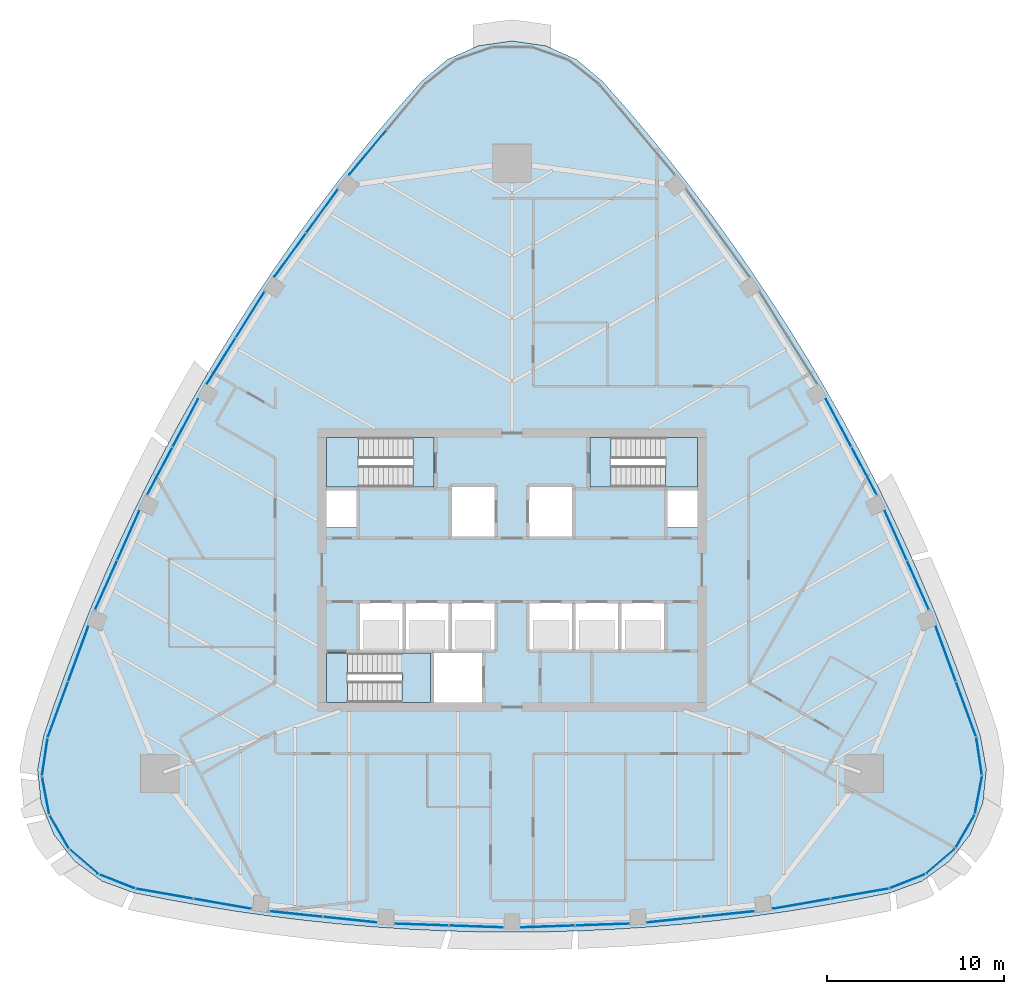
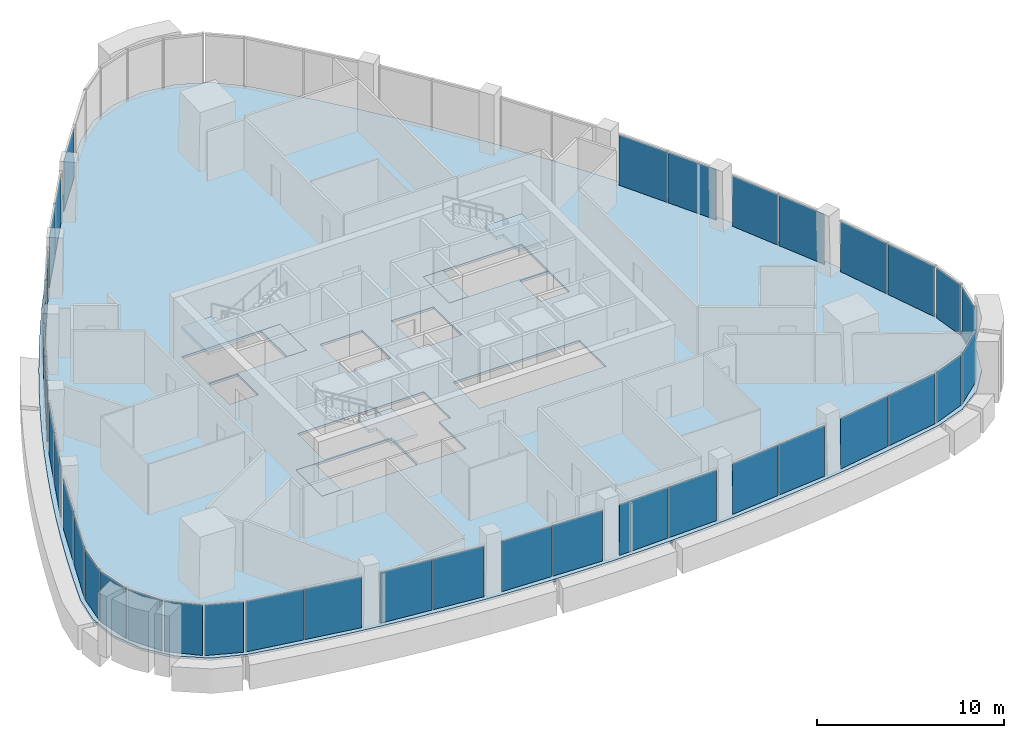
# One storey, part 7 of 15: 39 plates, 7 slabs, 28 elements without a shape of their own.
"""IFC4 building model written with IfcOpenShell, lengths in metres."""

from ifc_helpers import new_model, si_unit, direction, frame, origin, origin_2d, place, context, subcontext, project, spatial, polyline, rectangle, outline, extrude, material, layer, layer_set, type_object, element, aggregate, save


model = new_model("IFC4")

# Units and contexts
model_context = context("Model", 3, precision=1e-05, world=origin(), true_north=direction((0.0, 1.0)))
body_context = subcontext(model_context, "Body", "Model", "MODEL_VIEW")
ifc_project = project(units=[si_unit("LENGTHUNIT", "METRE"), si_unit("AREAUNIT", "SQUARE_METRE"), si_unit("VOLUMEUNIT", "CUBIC_METRE"), si_unit("PLANEANGLEUNIT", "RADIAN"), si_unit("MASSUNIT", "GRAM", prefix="KILO")], contexts=[model_context])

# Site, building, storey
site_placement = place(None, origin())
site = spatial("IfcSite", under=ifc_project, at=site_placement, CompositionType="ELEMENT")
building_placement = place(site_placement, origin())
building = spatial("IfcBuilding", under=site, at=building_placement, Name="Sierra Prisma Convention Tower", CompositionType="ELEMENT")
storey_placement = place(building_placement, frame((0.0, 0.0, 315.0)))
storey = spatial("IfcBuildingStorey", under=building, at=storey_placement, Name="L72", CompositionType="ELEMENT", Elevation=315.0)

# Curtain wall, plates
ifc_material_1 = material(Name="Aluminium and glass curtain wall", Category="aluminium")
ifc_layer_1 = layer(ifc_material_1, 0.179931640625)
ifc_layer_set_1 = layer_set([ifc_layer_1], Name="CW-1 Plain shaft curtain wall")
curtain_wall_type = type_object("IfcCurtainWallType", Name="CW-1 Plain shaft curtain wall", PredefinedType="NOTDEFINED", material=ifc_layer_set_1)
curtain_wall_1_placement = place(storey_placement, origin())
curtain_wall_1 = element("IfcCurtainWall", 1, at=curtain_wall_1_placement, inside=storey, type_object=curtain_wall_type, Name="CW-1 S1 L72", PredefinedType="NOTDEFINED")
ifc_material_2 = material(Name="Tinted glass bronze-grey IGU", Category="glass")
ifc_layer_2 = layer(ifc_material_2, 0.028076171875)
ifc_layer_set_2 = layer_set([ifc_layer_2], Name="CW-1 glass panel")
plate_type = type_object("IfcPlateType", Name="CW-1 glass panel", PredefinedType="CURTAIN_PANEL", material=ifc_layer_set_2)
plate_1_placement = place(storey_placement, frame((-19.65283203125, -18.306884765625, 0.0), z_axis=(0.0, 0.0, 1.0), x_axis=(0.985126314621, -0.171831732349, 0.0)))
plate_1 = element("IfcPlate", 2, at=plate_1_placement, type_object=plate_type, Name="CW-1 panel S1.1", PredefinedType="CURTAIN_PANEL", context=body_context, shape_type="SweptSolid", body=[
    extrude(rectangle(XDim=3.24853515625, YDim=0.028076171875, at=origin_2d()), origin(), (0.0, 0.0, 1.0), 3.280029296875),
])
plate_2_placement = place(storey_placement, frame((-16.3837890625, -18.876953125, 0.0), z_axis=(0.0, 0.0, 1.0), x_axis=(0.985126314621, -0.171831732349, 0.0)))
plate_2 = element("IfcPlate", 3, at=plate_2_placement, type_object=plate_type, Name="CW-1 panel S1.2", PredefinedType="CURTAIN_PANEL", context=body_context, shape_type="SweptSolid", body=[
    extrude(rectangle(XDim=3.24853515625, YDim=0.028076171875, at=origin_2d()), origin(), (0.0, 0.0, 1.0), 3.280029296875),
])
aggregate(curtain_wall_1, [plate_1, plate_2])

curtain_wall_2_placement = place(storey_placement, origin())
curtain_wall_2 = element("IfcCurtainWall", 4, at=curtain_wall_2_placement, inside=storey, type_object=curtain_wall_type, Name="CW-1 S2 L72", PredefinedType="NOTDEFINED")
plate_3_placement = place(storey_placement, frame((-12.218017578125, -19.458984375, 0.0), z_axis=(0.0, 0.0, 1.0), x_axis=(0.994636947362, -0.103427960158, 0.0)))
plate_3 = element("IfcPlate", 5, at=plate_3_placement, type_object=plate_type, Name="CW-1 panel S2.1", PredefinedType="CURTAIN_PANEL", context=body_context, shape_type="SweptSolid", body=[
    extrude(rectangle(XDim=3.001708984375, YDim=0.028076171875, at=origin_2d()), origin(), (0.0, 0.0, 1.0), 3.280029296875),
])
plate_4_placement = place(storey_placement, frame((-9.162841796875, -19.776611328125, 0.0), z_axis=(0.0, 0.0, 1.0), x_axis=(0.994636947362, -0.103427960158, 0.0)))
plate_4 = element("IfcPlate", 6, at=plate_4_placement, type_object=plate_type, Name="CW-1 panel S2.2", PredefinedType="CURTAIN_PANEL", context=body_context, shape_type="SweptSolid", body=[
    extrude(rectangle(XDim=3.001708984375, YDim=0.028076171875, at=origin_2d()), origin(), (0.0, 0.0, 1.0), 3.280029296875),
])
aggregate(curtain_wall_2, [plate_3, plate_4])

curtain_wall_3_placement = place(storey_placement, origin())
curtain_wall_3 = element("IfcCurtainWall", 7, at=curtain_wall_3_placement, inside=storey, type_object=curtain_wall_type, Name="CW-1 S3 L72", PredefinedType="NOTDEFINED")
plate_5_placement = place(storey_placement, frame((-5.11328125, -20.05615234375, 0.0), z_axis=(0.0, 0.0, 1.0), x_axis=(0.999403631149, -0.034530885396, 0.0)))
plate_5 = element("IfcPlate", 8, at=plate_5_placement, type_object=plate_type, Name="CW-1 panel S3.1", PredefinedType="CURTAIN_PANEL", context=body_context, shape_type="SweptSolid", body=[
    extrude(rectangle(XDim=3.017578125, YDim=0.028076171875, at=origin_2d()), origin(), (0.0, 0.0, 1.0), 3.280029296875),
])
plate_6_placement = place(storey_placement, frame((-2.027587890625, -20.162841796875, 0.0), z_axis=(0.0, 0.0, 1.0), x_axis=(0.999403631149, -0.034530885396, 0.0)))
plate_6 = element("IfcPlate", 9, at=plate_6_placement, type_object=plate_type, Name="CW-1 panel S3.2", PredefinedType="CURTAIN_PANEL", context=body_context, shape_type="SweptSolid", body=[
    extrude(rectangle(XDim=3.017578125, YDim=0.028076171875, at=origin_2d()), origin(), (0.0, 0.0, 1.0), 3.280029296875),
])
aggregate(curtain_wall_3, [plate_5, plate_6])

curtain_wall_4_placement = place(storey_placement, origin())
curtain_wall_4 = element("IfcCurtainWall", 10, at=curtain_wall_4_placement, inside=storey, type_object=curtain_wall_type, Name="CW-1 S4 L72", PredefinedType="NOTDEFINED")
plate_7_placement = place(storey_placement, frame((2.027587890625, -20.162841796875, 0.0), z_axis=(0.0, 0.0, 1.0), x_axis=(0.999403631149, 0.034530885396, 0.0)))
plate_7 = element("IfcPlate", 11, at=plate_7_placement, type_object=plate_type, Name="CW-1 panel S4.1", PredefinedType="CURTAIN_PANEL", context=body_context, shape_type="SweptSolid", body=[
    extrude(rectangle(XDim=3.017578125, YDim=0.028076171875, at=origin_2d()), origin(), (0.0, 0.0, 1.0), 3.280029296875),
])
plate_8_placement = place(storey_placement, frame((5.11328125, -20.05615234375, 0.0), z_axis=(0.0, 0.0, 1.0), x_axis=(0.999403631149, 0.034530885396, 0.0)))
plate_8 = element("IfcPlate", 12, at=plate_8_placement, type_object=plate_type, Name="CW-1 panel S4.2", PredefinedType="CURTAIN_PANEL", context=body_context, shape_type="SweptSolid", body=[
    extrude(rectangle(XDim=3.017578125, YDim=0.028076171875, at=origin_2d()), origin(), (0.0, 0.0, 1.0), 3.280029296875),
])
aggregate(curtain_wall_4, [plate_7, plate_8])

curtain_wall_5_placement = place(storey_placement, origin())
curtain_wall_5 = element("IfcCurtainWall", 13, at=curtain_wall_5_placement, inside=storey, type_object=curtain_wall_type, Name="CW-1 S5 L72", PredefinedType="NOTDEFINED")
plate_9_placement = place(storey_placement, frame((9.162841796875, -19.776611328125, 0.0), z_axis=(0.0, 0.0, 1.0), x_axis=(0.994636947362, 0.103427960158, 0.0)))
plate_9 = element("IfcPlate", 14, at=plate_9_placement, type_object=plate_type, Name="CW-1 panel S5.1", PredefinedType="CURTAIN_PANEL", context=body_context, shape_type="SweptSolid", body=[
    extrude(rectangle(XDim=3.001708984375, YDim=0.028076171875, at=origin_2d()), origin(), (0.0, 0.0, 1.0), 3.280029296875),
])
plate_10_placement = place(storey_placement, frame((12.218017578125, -19.458984375, 0.0), z_axis=(0.0, 0.0, 1.0), x_axis=(0.994636947362, 0.103427960158, 0.0)))
plate_10 = element("IfcPlate", 15, at=plate_10_placement, type_object=plate_type, Name="CW-1 panel S5.2", PredefinedType="CURTAIN_PANEL", context=body_context, shape_type="SweptSolid", body=[
    extrude(rectangle(XDim=3.001708984375, YDim=0.028076171875, at=origin_2d()), origin(), (0.0, 0.0, 1.0), 3.280029296875),
])
aggregate(curtain_wall_5, [plate_9, plate_10])

curtain_wall_6_placement = place(storey_placement, origin())
curtain_wall_6 = element("IfcCurtainWall", 16, at=curtain_wall_6_placement, inside=storey, type_object=curtain_wall_type, Name="CW-1 S6 L72", PredefinedType="NOTDEFINED")
plate_11_placement = place(storey_placement, frame((16.3837890625, -18.876953125, 0.0), z_axis=(0.0, 0.0, 1.0), x_axis=(0.985126314621, 0.171831732349, 0.0)))
plate_11 = element("IfcPlate", 17, at=plate_11_placement, type_object=plate_type, Name="CW-1 panel S6.1", PredefinedType="CURTAIN_PANEL", context=body_context, shape_type="SweptSolid", body=[
    extrude(rectangle(XDim=3.24853515625, YDim=0.028076171875, at=origin_2d()), origin(), (0.0, 0.0, 1.0), 3.280029296875),
])
plate_12_placement = place(storey_placement, frame((19.65283203125, -18.306884765625, 0.0), z_axis=(0.0, 0.0, 1.0), x_axis=(0.985126314621, 0.171831732349, 0.0)))
plate_12 = element("IfcPlate", 18, at=plate_12_placement, type_object=plate_type, Name="CW-1 panel S6.2", PredefinedType="CURTAIN_PANEL", context=body_context, shape_type="SweptSolid", body=[
    extrude(rectangle(XDim=3.24853515625, YDim=0.028076171875, at=origin_2d()), origin(), (0.0, 0.0, 1.0), 3.280029296875),
])
aggregate(curtain_wall_6, [plate_11, plate_12])

# Curtain wall, plate
curtain_wall_7_placement = place(storey_placement, origin())
curtain_wall_7 = element("IfcCurtainWall", 19, at=curtain_wall_7_placement, inside=storey, type_object=curtain_wall_type, Name="CW-1 SE1 L72", PredefinedType="NOTDEFINED")
plate_13_placement = place(storey_placement, frame((22.354248046875, -17.609130859375, 0.0), z_axis=(0.0, 0.0, 1.0), x_axis=(0.930426756661, 0.366477899046, 0.0)))
plate_13 = element("IfcPlate", 20, at=plate_13_placement, type_object=plate_type, Name="CW-1 panel SE1.1", PredefinedType="CURTAIN_PANEL", context=body_context, shape_type="SweptSolid", body=[
    extrude(rectangle(XDim=2.0791015625, YDim=0.028076171875, at=origin_2d()), origin(), (0.0, 0.0, 1.0), 3.280029296875),
])
aggregate(curtain_wall_7, [plate_13])

curtain_wall_8_placement = place(storey_placement, origin())
curtain_wall_8 = element("IfcCurtainWall", 21, at=curtain_wall_8_placement, inside=storey, type_object=curtain_wall_type, Name="CW-1 SE2 L72", PredefinedType="NOTDEFINED")
plate_14_placement = place(storey_placement, frame((24.22705078125, -16.478271484375, 0.0), z_axis=(0.0, 0.0, 1.0), x_axis=(0.757573167368, 0.652750255522, 0.0)))
plate_14 = element("IfcPlate", 22, at=plate_14_placement, type_object=plate_type, Name="CW-1 panel SE2.1", PredefinedType="CURTAIN_PANEL", context=body_context, shape_type="SweptSolid", body=[
    extrude(rectangle(XDim=2.0791015625, YDim=0.028076171875, at=origin_2d()), origin(), (0.0, 0.0, 1.0), 3.280029296875),
])
aggregate(curtain_wall_8, [plate_14])

curtain_wall_9_placement = place(storey_placement, origin())
curtain_wall_9 = element("IfcCurtainWall", 23, at=curtain_wall_9_placement, inside=storey, type_object=curtain_wall_type, Name="CW-1 SE3 L72", PredefinedType="NOTDEFINED")
plate_15_placement = place(storey_placement, frame((25.622314453125, -14.793212890625, 0.0), z_axis=(0.0, 0.0, 1.0), x_axis=(0.5, 0.866025403784, 0.0)))
plate_15 = element("IfcPlate", 24, at=plate_15_placement, type_object=plate_type, Name="CW-1 panel SE3.1", PredefinedType="CURTAIN_PANEL", context=body_context, shape_type="SweptSolid", body=[
    extrude(rectangle(XDim=2.0791015625, YDim=0.028076171875, at=origin_2d()), origin(), (0.0, 0.0, 1.0), 3.280029296875),
])
aggregate(curtain_wall_9, [plate_15])

curtain_wall_10_placement = place(storey_placement, origin())
curtain_wall_10 = element("IfcCurtainWall", 25, at=curtain_wall_10_placement, inside=storey, type_object=curtain_wall_type, Name="CW-1 SE4 L72", PredefinedType="NOTDEFINED")
plate_16_placement = place(storey_placement, frame((26.384033203125, -12.7421875, 0.0), z_axis=(0.0, 0.0, 1.0), x_axis=(0.186511719925, 0.982452735927, 0.0)))
plate_16 = element("IfcPlate", 26, at=plate_16_placement, type_object=plate_type, Name="CW-1 panel SE4.1", PredefinedType="CURTAIN_PANEL", context=body_context, shape_type="SweptSolid", body=[
    extrude(rectangle(XDim=2.0791015625, YDim=0.028076171875, at=origin_2d()), origin(), (0.0, 0.0, 1.0), 3.280029296875),
])
aggregate(curtain_wall_10, [plate_16])

curtain_wall_11_placement = place(storey_placement, origin())
curtain_wall_11 = element("IfcCurtainWall", 27, at=curtain_wall_11_placement, inside=storey, type_object=curtain_wall_type, Name="CW-1 SE5 L72", PredefinedType="NOTDEFINED")
plate_17_placement = place(storey_placement, frame((26.427001953125, -10.5546875, 0.0), z_axis=(0.0, 0.0, 1.0), x_axis=(-0.147834207831, 0.989012157152, 0.0)))
plate_17 = element("IfcPlate", 28, at=plate_17_placement, type_object=plate_type, Name="CW-1 panel SE5.1", PredefinedType="CURTAIN_PANEL", context=body_context, shape_type="SweptSolid", body=[
    extrude(rectangle(XDim=2.0791015625, YDim=0.028076171875, at=origin_2d()), origin(), (0.0, 0.0, 1.0), 3.280029296875),
])
aggregate(curtain_wall_11, [plate_17])

# Curtain wall, plates
curtain_wall_12_placement = place(storey_placement, origin())
curtain_wall_12 = element("IfcCurtainWall", 29, at=curtain_wall_12_placement, inside=storey, type_object=curtain_wall_type, Name="CW-1 NE1 L72", PredefinedType="NOTDEFINED")
plate_18_placement = place(storey_placement, frame((25.6806640625, -7.866455078125, 0.0), z_axis=(0.0, 0.0, 1.0), x_axis=(-0.34375251192, 0.939060280572, 0.0)))
plate_18 = element("IfcPlate", 30, at=plate_18_placement, type_object=plate_type, Name="CW-1 panel NE1.1", PredefinedType="CURTAIN_PANEL", context=body_context, shape_type="SweptSolid", body=[
    extrude(rectangle(XDim=3.24853515625, YDim=0.028076171875, at=origin_2d()), origin(), (0.0, 0.0, 1.0), 3.280029296875),
])
plate_19_placement = place(storey_placement, frame((24.539794921875, -4.750244140625, 0.0), z_axis=(0.0, 0.0, 1.0), x_axis=(-0.34375251192, 0.939060280572, 0.0)))
plate_19 = element("IfcPlate", 31, at=plate_19_placement, type_object=plate_type, Name="CW-1 panel NE1.2", PredefinedType="CURTAIN_PANEL", context=body_context, shape_type="SweptSolid", body=[
    extrude(rectangle(XDim=3.24853515625, YDim=0.028076171875, at=origin_2d()), origin(), (0.0, 0.0, 1.0), 3.280029296875),
])
aggregate(curtain_wall_12, [plate_18, plate_19])

curtain_wall_13_placement = place(storey_placement, origin())
curtain_wall_13 = element("IfcCurtainWall", 32, at=curtain_wall_13_placement, inside=storey, type_object=curtain_wall_type, Name="CW-1 NE2 L72", PredefinedType="NOTDEFINED")
plate_20_placement = place(storey_placement, frame((22.9609375, -0.851806640625, 0.0), z_axis=(0.0, 0.0, 1.0), x_axis=(-0.407747232722, 0.913094844037, 0.0)))
plate_20 = element("IfcPlate", 33, at=plate_20_placement, type_object=plate_type, Name="CW-1 panel NE2.1", PredefinedType="CURTAIN_PANEL", context=body_context, shape_type="SweptSolid", body=[
    extrude(rectangle(XDim=3.001708984375, YDim=0.028076171875, at=origin_2d()), origin(), (0.0, 0.0, 1.0), 3.280029296875),
])
plate_21_placement = place(storey_placement, frame((21.70849609375, 1.953125, 0.0), z_axis=(0.0, 0.0, 1.0), x_axis=(-0.407747232722, 0.913094844037, 0.0)))
plate_21 = element("IfcPlate", 34, at=plate_21_placement, type_object=plate_type, Name="CW-1 panel NE2.2", PredefinedType="CURTAIN_PANEL", context=body_context, shape_type="SweptSolid", body=[
    extrude(rectangle(XDim=3.001708984375, YDim=0.028076171875, at=origin_2d()), origin(), (0.0, 0.0, 1.0), 3.280029296875),
])
aggregate(curtain_wall_13, [plate_20, plate_21])

curtain_wall_14_placement = place(storey_placement, origin())
curtain_wall_14 = element("IfcCurtainWall", 35, at=curtain_wall_14_placement, inside=storey, type_object=curtain_wall_type, Name="CW-1 NE3 L72", PredefinedType="NOTDEFINED")
plate_22_placement = place(storey_placement, frame((19.92578125, 5.599853515625, 0.0), z_axis=(0.0, 0.0, 1.0), x_axis=(-0.469797191606, 0.882774375908, 0.0)))
plate_22 = element("IfcPlate", 36, at=plate_22_placement, type_object=plate_type, Name="CW-1 panel NE3.1", PredefinedType="CURTAIN_PANEL", context=body_context, shape_type="SweptSolid", body=[
    extrude(rectangle(XDim=3.017578125, YDim=0.028076171875, at=origin_2d()), origin(), (0.0, 0.0, 1.0), 3.280029296875),
])
plate_23_placement = place(storey_placement, frame((18.475341796875, 8.325439453125, 0.0), z_axis=(0.0, 0.0, 1.0), x_axis=(-0.469797191606, 0.882774375908, 0.0)))
plate_23 = element("IfcPlate", 37, at=plate_23_placement, type_object=plate_type, Name="CW-1 panel NE3.2", PredefinedType="CURTAIN_PANEL", context=body_context, shape_type="SweptSolid", body=[
    extrude(rectangle(XDim=3.017578125, YDim=0.028076171875, at=origin_2d()), origin(), (0.0, 0.0, 1.0), 3.280029296875),
])
aggregate(curtain_wall_14, [plate_22, plate_23])

# Curtain wall, plate
curtain_wall_15_placement = place(storey_placement, origin())
curtain_wall_15 = element("IfcCurtainWall", 38, at=curtain_wall_15_placement, inside=storey, type_object=curtain_wall_type, Name="CW-1 NW1 L72", PredefinedType="NOTDEFINED")
plate_24_placement = place(storey_placement, frame((-8.15625, 23.627197265625, 0.0), z_axis=(0.0, 0.0, 1.0), x_axis=(-0.641373802701, -0.767228548224, 0.0)))
plate_24 = element("IfcPlate", 39, at=plate_24_placement, type_object=plate_type, Name="CW-1 panel NW1.2", PredefinedType="CURTAIN_PANEL", context=body_context, shape_type="SweptSolid", body=[
    extrude(rectangle(XDim=3.24853515625, YDim=0.028076171875, at=origin_2d()), origin(), (0.0, 0.0, 1.0), 3.280029296875),
])
aggregate(curtain_wall_15, [plate_24])

# Curtain wall, plates
curtain_wall_16_placement = place(storey_placement, origin())
curtain_wall_16 = element("IfcCurtainWall", 40, at=curtain_wall_16_placement, inside=storey, type_object=curtain_wall_type, Name="CW-1 NW2 L72", PredefinedType="NOTDEFINED")
plate_25_placement = place(storey_placement, frame((-10.742919921875, 20.310546875, 0.0), z_axis=(0.0, 0.0, 1.0), x_axis=(-0.58688971464, -0.809666883879, 0.0)))
plate_25 = element("IfcPlate", 41, at=plate_25_placement, type_object=plate_type, Name="CW-1 panel NW2.1", PredefinedType="CURTAIN_PANEL", context=body_context, shape_type="SweptSolid", body=[
    extrude(rectangle(XDim=3.001708984375, YDim=0.028076171875, at=origin_2d()), origin(), (0.0, 0.0, 1.0), 3.280029296875),
])
plate_26_placement = place(storey_placement, frame((-12.545654296875, 17.823486328125, 0.0), z_axis=(0.0, 0.0, 1.0), x_axis=(-0.58688971464, -0.809666883879, 0.0)))
plate_26 = element("IfcPlate", 42, at=plate_26_placement, type_object=plate_type, Name="CW-1 panel NW2.2", PredefinedType="CURTAIN_PANEL", context=body_context, shape_type="SweptSolid", body=[
    extrude(rectangle(XDim=3.001708984375, YDim=0.028076171875, at=origin_2d()), origin(), (0.0, 0.0, 1.0), 3.280029296875),
])
aggregate(curtain_wall_16, [plate_25, plate_26])

curtain_wall_17_placement = place(storey_placement, origin())
curtain_wall_17 = element("IfcCurtainWall", 43, at=curtain_wall_17_placement, inside=storey, type_object=curtain_wall_type, Name="CW-1 NW3 L72", PredefinedType="NOTDEFINED")
plate_27_placement = place(storey_placement, frame((-14.8125, 14.456298828125, 0.0), z_axis=(0.0, 0.0, 1.0), x_axis=(-0.529606439543, -0.848243490511, 0.0)))
plate_27 = element("IfcPlate", 44, at=plate_27_placement, type_object=plate_type, Name="CW-1 panel NW3.1", PredefinedType="CURTAIN_PANEL", context=body_context, shape_type="SweptSolid", body=[
    extrude(rectangle(XDim=3.017578125, YDim=0.028076171875, at=origin_2d()), origin(), (0.0, 0.0, 1.0), 3.280029296875),
])
plate_28_placement = place(storey_placement, frame((-16.44775390625, 11.83740234375, 0.0), z_axis=(0.0, 0.0, 1.0), x_axis=(-0.529606439543, -0.848243490511, 0.0)))
plate_28 = element("IfcPlate", 45, at=plate_28_placement, type_object=plate_type, Name="CW-1 panel NW3.2", PredefinedType="CURTAIN_PANEL", context=body_context, shape_type="SweptSolid", body=[
    extrude(rectangle(XDim=3.017578125, YDim=0.028076171875, at=origin_2d()), origin(), (0.0, 0.0, 1.0), 3.280029296875),
])
aggregate(curtain_wall_17, [plate_27, plate_28])

curtain_wall_18_placement = place(storey_placement, origin())
curtain_wall_18 = element("IfcCurtainWall", 46, at=curtain_wall_18_placement, inside=storey, type_object=curtain_wall_type, Name="CW-1 NW4 L72", PredefinedType="NOTDEFINED")
plate_29_placement = place(storey_placement, frame((-18.475341796875, 8.325439453125, 0.0), z_axis=(0.0, 0.0, 1.0), x_axis=(-0.469797191606, -0.882774375908, 0.0)))
plate_29 = element("IfcPlate", 47, at=plate_29_placement, type_object=plate_type, Name="CW-1 panel NW4.1", PredefinedType="CURTAIN_PANEL", context=body_context, shape_type="SweptSolid", body=[
    extrude(rectangle(XDim=3.017578125, YDim=0.028076171875, at=origin_2d()), origin(), (0.0, 0.0, 1.0), 3.280029296875),
])
plate_30_placement = place(storey_placement, frame((-19.92578125, 5.60009765625, 0.0), z_axis=(0.0, 0.0, 1.0), x_axis=(-0.469797191606, -0.882774375908, 0.0)))
plate_30 = element("IfcPlate", 48, at=plate_30_placement, type_object=plate_type, Name="CW-1 panel NW4.2", PredefinedType="CURTAIN_PANEL", context=body_context, shape_type="SweptSolid", body=[
    extrude(rectangle(XDim=3.017578125, YDim=0.028076171875, at=origin_2d()), origin(), (0.0, 0.0, 1.0), 3.280029296875),
])
aggregate(curtain_wall_18, [plate_29, plate_30])

curtain_wall_19_placement = place(storey_placement, origin())
curtain_wall_19 = element("IfcCurtainWall", 49, at=curtain_wall_19_placement, inside=storey, type_object=curtain_wall_type, Name="CW-1 NW5 L72", PredefinedType="NOTDEFINED")
plate_31_placement = place(storey_placement, frame((-21.70849609375, 1.953125, 0.0), z_axis=(0.0, 0.0, 1.0), x_axis=(-0.407747232722, -0.913094844037, 0.0)))
plate_31 = element("IfcPlate", 50, at=plate_31_placement, type_object=plate_type, Name="CW-1 panel NW5.1", PredefinedType="CURTAIN_PANEL", context=body_context, shape_type="SweptSolid", body=[
    extrude(rectangle(XDim=3.001708984375, YDim=0.028076171875, at=origin_2d()), origin(), (0.0, 0.0, 1.0), 3.280029296875),
])
plate_32_placement = place(storey_placement, frame((-22.9609375, -0.8515625, 0.0), z_axis=(0.0, 0.0, 1.0), x_axis=(-0.407747232722, -0.913094844037, 0.0)))
plate_32 = element("IfcPlate", 51, at=plate_32_placement, type_object=plate_type, Name="CW-1 panel NW5.2", PredefinedType="CURTAIN_PANEL", context=body_context, shape_type="SweptSolid", body=[
    extrude(rectangle(XDim=3.001708984375, YDim=0.028076171875, at=origin_2d()), origin(), (0.0, 0.0, 1.0), 3.280029296875),
])
aggregate(curtain_wall_19, [plate_31, plate_32])

curtain_wall_20_placement = place(storey_placement, origin())
curtain_wall_20 = element("IfcCurtainWall", 52, at=curtain_wall_20_placement, inside=storey, type_object=curtain_wall_type, Name="CW-1 NW6 L72", PredefinedType="NOTDEFINED")
plate_33_placement = place(storey_placement, frame((-24.539794921875, -4.750244140625, 0.0), z_axis=(0.0, 0.0, 1.0), x_axis=(-0.34375251192, -0.939060280572, 0.0)))
plate_33 = element("IfcPlate", 53, at=plate_33_placement, type_object=plate_type, Name="CW-1 panel NW6.1", PredefinedType="CURTAIN_PANEL", context=body_context, shape_type="SweptSolid", body=[
    extrude(rectangle(XDim=3.24853515625, YDim=0.028076171875, at=origin_2d()), origin(), (0.0, 0.0, 1.0), 3.280029296875),
])
plate_34_placement = place(storey_placement, frame((-25.6806640625, -7.866455078125, 0.0), z_axis=(0.0, 0.0, 1.0), x_axis=(-0.34375251192, -0.939060280572, 0.0)))
plate_34 = element("IfcPlate", 54, at=plate_34_placement, type_object=plate_type, Name="CW-1 panel NW6.2", PredefinedType="CURTAIN_PANEL", context=body_context, shape_type="SweptSolid", body=[
    extrude(rectangle(XDim=3.24853515625, YDim=0.028076171875, at=origin_2d()), origin(), (0.0, 0.0, 1.0), 3.280029296875),
])
aggregate(curtain_wall_20, [plate_33, plate_34])

# Curtain wall, plate
curtain_wall_21_placement = place(storey_placement, origin())
curtain_wall_21 = element("IfcCurtainWall", 55, at=curtain_wall_21_placement, inside=storey, type_object=curtain_wall_type, Name="CW-1 SW1 L72", PredefinedType="NOTDEFINED")
plate_35_placement = place(storey_placement, frame((-26.427001953125, -10.5546875, 0.0), z_axis=(0.0, 0.0, 1.0), x_axis=(-0.147834207831, -0.989012157152, 0.0)))
plate_35 = element("IfcPlate", 56, at=plate_35_placement, type_object=plate_type, Name="CW-1 panel SW1.1", PredefinedType="CURTAIN_PANEL", context=body_context, shape_type="SweptSolid", body=[
    extrude(rectangle(XDim=2.0791015625, YDim=0.028076171875, at=origin_2d()), origin(), (0.0, 0.0, 1.0), 3.280029296875),
])
aggregate(curtain_wall_21, [plate_35])

curtain_wall_22_placement = place(storey_placement, origin())
curtain_wall_22 = element("IfcCurtainWall", 57, at=curtain_wall_22_placement, inside=storey, type_object=curtain_wall_type, Name="CW-1 SW2 L72", PredefinedType="NOTDEFINED")
plate_36_placement = place(storey_placement, frame((-26.384033203125, -12.7421875, 0.0), z_axis=(0.0, 0.0, 1.0), x_axis=(0.186511719925, -0.982452735927, 0.0)))
plate_36 = element("IfcPlate", 58, at=plate_36_placement, type_object=plate_type, Name="CW-1 panel SW2.1", PredefinedType="CURTAIN_PANEL", context=body_context, shape_type="SweptSolid", body=[
    extrude(rectangle(XDim=2.0791015625, YDim=0.028076171875, at=origin_2d()), origin(), (0.0, 0.0, 1.0), 3.280029296875),
])
aggregate(curtain_wall_22, [plate_36])

curtain_wall_23_placement = place(storey_placement, origin())
curtain_wall_23 = element("IfcCurtainWall", 59, at=curtain_wall_23_placement, inside=storey, type_object=curtain_wall_type, Name="CW-1 SW3 L72", PredefinedType="NOTDEFINED")
plate_37_placement = place(storey_placement, frame((-25.622314453125, -14.793212890625, 0.0), z_axis=(0.0, 0.0, 1.0), x_axis=(0.5, -0.866025403784, 0.0)))
plate_37 = element("IfcPlate", 60, at=plate_37_placement, type_object=plate_type, Name="CW-1 panel SW3.1", PredefinedType="CURTAIN_PANEL", context=body_context, shape_type="SweptSolid", body=[
    extrude(rectangle(XDim=2.0791015625, YDim=0.028076171875, at=origin_2d()), origin(), (0.0, 0.0, 1.0), 3.280029296875),
])
aggregate(curtain_wall_23, [plate_37])

curtain_wall_24_placement = place(storey_placement, origin())
curtain_wall_24 = element("IfcCurtainWall", 61, at=curtain_wall_24_placement, inside=storey, type_object=curtain_wall_type, Name="CW-1 SW4 L72", PredefinedType="NOTDEFINED")
plate_38_placement = place(storey_placement, frame((-24.22705078125, -16.478271484375, 0.0), z_axis=(0.0, 0.0, 1.0), x_axis=(0.757573167368, -0.652750255522, 0.0)))
plate_38 = element("IfcPlate", 62, at=plate_38_placement, type_object=plate_type, Name="CW-1 panel SW4.1", PredefinedType="CURTAIN_PANEL", context=body_context, shape_type="SweptSolid", body=[
    extrude(rectangle(XDim=2.0791015625, YDim=0.028076171875, at=origin_2d()), origin(), (0.0, 0.0, 1.0), 3.280029296875),
])
aggregate(curtain_wall_24, [plate_38])

curtain_wall_25_placement = place(storey_placement, origin())
curtain_wall_25 = element("IfcCurtainWall", 63, at=curtain_wall_25_placement, inside=storey, type_object=curtain_wall_type, Name="CW-1 SW5 L72", PredefinedType="NOTDEFINED")
plate_39_placement = place(storey_placement, frame((-22.354248046875, -17.609130859375, 0.0), z_axis=(0.0, 0.0, 1.0), x_axis=(0.930426756661, -0.366477899046, 0.0)))
plate_39 = element("IfcPlate", 64, at=plate_39_placement, type_object=plate_type, Name="CW-1 panel SW5.1", PredefinedType="CURTAIN_PANEL", context=body_context, shape_type="SweptSolid", body=[
    extrude(rectangle(XDim=2.0791015625, YDim=0.028076171875, at=origin_2d()), origin(), (0.0, 0.0, 1.0), 3.280029296875),
])
aggregate(curtain_wall_25, [plate_39])

# Slab
ifc_material_3 = material(Name="Concrete C35/45", Category="concrete")
ifc_layer_3 = layer(ifc_material_3, 0.14990234375)
ifc_layer_set_3 = layer_set([ifc_layer_3], Name="Composite floor slab 150")
slab_type_1 = type_object("IfcSlabType", Name="Composite floor slab 150", PredefinedType="FLOOR", material=ifc_layer_set_3)
slab_1_placement = place(storey_placement, frame((0.0, 0.0, -0.14990234375)))
element("IfcSlab", 65, at=slab_1_placement, inside=storey, type_object=slab_type_1, Name="Floor slab L72 floor", PredefinedType="FLOOR", context=body_context, shape_type="SweptSolid", body=[
    extrude(outline(polyline([(-21.373291015625, -18.26025390625), (-19.45458984375, -18.64501953125), (-17.52880859375, -18.993408203125), (-15.596923828125, -19.305419921875), (-13.659423828125, -19.580810546875), (-11.717041015625, -19.820068359375), (-9.7705078125, -20.0224609375), (-7.820556640625, -20.18798828125), (-5.867919921875, -20.31689453125), (-3.9130859375, -20.4091796875), (-1.956787109375, -20.46435546875), (0.0, -20.48291015625), (1.956787109375, -20.46435546875), (3.9130859375, -20.4091796875), (5.867919921875, -20.31689453125), (7.820556640625, -20.18798828125), (9.7705078125, -20.0224609375), (11.717041015625, -19.820068359375), (13.659423828125, -19.580810546875), (15.596923828125, -19.305419921875), (17.52880859375, -18.993408203125), (19.45458984375, -18.64501953125), (21.373291015625, -18.26025390625), (23.18017578125, -17.6064453125), (24.736083984375, -16.478759765625), (25.919677734375, -14.96484375), (26.638916015625, -13.182861328125), (26.837646484375, -11.271484375), (26.50048828125, -9.379638671875), (25.874267578125, -7.525634765625), (25.213134765625, -5.68359375), (24.517333984375, -3.8544921875), (23.787353515625, -2.038818359375), (23.023193359375, -0.2373046875), (22.22509765625, 1.549560546875), (21.3935546875, 3.3212890625), (20.529052734375, 5.07666015625), (19.63134765625, 6.815673828125), (18.701171875, 8.53759765625), (17.73876953125, 10.241455078125), (16.744384765625, 11.927001953125), (15.71826171875, 13.593505859375), (14.6611328125, 15.240234375), (13.572998046875, 16.866943359375), (12.45458984375, 18.47265625), (11.30615234375, 20.05712890625), (10.1279296875, 21.619873046875), (8.92041015625, 23.159912109375), (7.684326171875, 24.677001953125), (6.419677734375, 26.170654296875), (5.127197265625, 27.639892578125), (3.657470703125, 28.8779296875), (1.90283203125, 29.661376953125), (0.0, 29.9296875), (-1.90283203125, 29.661376953125), (-3.657470703125, 28.8779296875), (-5.127197265625, 27.639892578125), (-6.419677734375, 26.170654296875), (-7.684326171875, 24.677001953125), (-8.92041015625, 23.159912109375), (-10.1279296875, 21.619873046875), (-11.30615234375, 20.05712890625), (-12.45458984375, 18.47265625), (-13.572998046875, 16.866943359375), (-14.6611328125, 15.240234375), (-15.71826171875, 13.593505859375), (-16.744384765625, 11.927001953125), (-17.73876953125, 10.241455078125), (-18.701171875, 8.53759765625), (-19.63134765625, 6.815673828125), (-20.529052734375, 5.07666015625), (-21.3935546875, 3.3212890625), (-22.22509765625, 1.549560546875), (-23.023193359375, -0.2373046875), (-23.787353515625, -2.038818359375), (-24.517333984375, -3.8544921875), (-25.213134765625, -5.68359375), (-25.874267578125, -7.525634765625), (-26.50048828125, -9.379638671875), (-26.837646484375, -11.271484375), (-26.638916015625, -13.182861328125), (-25.919677734375, -14.96484375), (-24.736083984375, -16.478759765625), (-23.18017578125, -17.6064453125), (-21.373291015625, -18.26025390625)]), holes=[polyline([(-4.60009765625, -4.699951171875), (-4.60009765625, -7.5), (-10.5, -7.5), (-10.5, -4.699951171875), (-4.60009765625, -4.699951171875)]), polyline([(-4.5, -7.5), (-4.5, -4.60009765625), (-6.10009765625, -4.60009765625), (-8.699951171875, -4.60009765625), (-8.699951171875, -1.800048828125), (-6.10009765625, -1.800048828125), (-3.5, -1.800048828125), (-0.89990234375, -1.800048828125), (-0.89990234375, -4.60009765625), (-1.60009765625, -4.60009765625), (-1.60009765625, -7.5), (-4.5, -7.5)]), polyline([(-8.699951171875, 2.39990234375), (-10.5, 2.39990234375), (-10.5, 4.60009765625), (-8.699951171875, 4.60009765625), (-8.699951171875, 2.39990234375)]), polyline([(-4.39990234375, 4.699951171875), (-10.5, 4.699951171875), (-10.5, 7.5), (-4.39990234375, 7.5), (-4.39990234375, 4.699951171875)]), polyline([(3.5, -1.800048828125), (6.10009765625, -1.800048828125), (8.699951171875, -1.800048828125), (8.699951171875, -4.60009765625), (6.10009765625, -4.60009765625), (3.5, -4.60009765625), (0.89990234375, -4.60009765625), (0.89990234375, -1.800048828125), (3.5, -1.800048828125)]), polyline([(-0.89990234375, 1.800048828125), (-3.5, 1.800048828125), (-3.5, 4.800048828125), (-0.89990234375, 4.800048828125), (-0.89990234375, 1.800048828125)]), polyline([(3.5, 1.800048828125), (0.89990234375, 1.800048828125), (0.89990234375, 4.800048828125), (3.5, 4.800048828125), (3.5, 1.800048828125)]), polyline([(10.5, 2.39990234375), (8.699951171875, 2.39990234375), (8.699951171875, 4.60009765625), (10.5, 4.60009765625), (10.5, 2.39990234375)]), polyline([(10.5, 4.699951171875), (4.39990234375, 4.699951171875), (4.39990234375, 7.5), (10.5, 7.5), (10.5, 4.699951171875)])]), origin(), (0.0, 0.0, 1.0), 0.14990234375),
])

# Stair, slab
ifc_material_4 = material(Name="Concrete C30/37", Category="concrete")
stair_type = type_object("IfcStairType", Name="Stair dog-leg 1200 RC", PredefinedType="HALF_TURN_STAIR", material=ifc_material_4)
stair_1_placement = place(storey_placement, origin())
stair_1 = element("IfcStair", 66, at=stair_1_placement, inside=storey, type_object=stair_type, Name="L72 S1", PredefinedType="HALF_TURN_STAIR")
ifc_material_5 = material(Name="Concrete C35/45", Category="concrete")
ifc_layer_4 = layer(ifc_material_5, 0.199951171875)
ifc_layer_set_4 = layer_set([ifc_layer_4], Name="Stair landing slab")
slab_type_2 = type_object("IfcSlabType", Name="Stair landing slab", PredefinedType="LANDING", material=ifc_layer_set_4)
slab_2_placement = place(storey_placement, frame((0.0, 0.0, 1.800048828125)))
slab_2 = element("IfcSlab", 67, at=slab_2_placement, type_object=slab_type_2, Name="S1 landing 1", PredefinedType="LANDING", context=body_context, shape_type="SweptSolid", body=[
    extrude(outline(polyline([(-4.60009765625, -4.699951171875), (-4.60009765625, -7.5), (-6.221923828125, -7.5), (-6.221923828125, -5.89990234375), (-6.669921875, -5.89990234375), (-6.669921875, -4.699951171875), (-4.60009765625, -4.699951171875)])), origin(), (0.0, 0.0, 1.0), 0.199951171875),
])
aggregate(stair_1, [slab_2])

# Slab
slab_3_placement = place(storey_placement, frame((0.0, 0.0, -0.199951171875)))
element("IfcSlab", 68, at=slab_3_placement, inside=storey, type_object=slab_type_2, Name="S1 floor landing L72", PredefinedType="LANDING", context=body_context, shape_type="SweptSolid", body=[
    extrude(outline(polyline([(-10.5, -7.5), (-9.298095703125, -7.5), (-9.298095703125, -4.699951171875), (-10.5, -4.699951171875), (-10.5, -7.5)])), origin(), (0.0, 0.0, 1.0), 0.199951171875),
])

# Stair, slab
stair_2_placement = place(storey_placement, origin())
stair_2 = element("IfcStair", 69, at=stair_2_placement, inside=storey, type_object=stair_type, Name="L72 S3", PredefinedType="HALF_TURN_STAIR")
slab_4_placement = place(storey_placement, frame((0.0, 0.0, 1.800048828125)))
slab_4 = element("IfcSlab", 70, at=slab_4_placement, type_object=slab_type_2, Name="S3 landing 1", PredefinedType="LANDING", context=body_context, shape_type="SweptSolid", body=[
    extrude(outline(polyline([(-8.22998046875, 5.89990234375), (-8.22998046875, 4.699951171875), (-10.5, 4.699951171875), (-10.5, 7.5), (-8.677978515625, 7.5), (-8.677978515625, 5.89990234375), (-8.22998046875, 5.89990234375)])), origin(), (0.0, 0.0, 1.0), 0.199951171875),
])
aggregate(stair_2, [slab_4])

# Slab
slab_5_placement = place(storey_placement, frame((0.0, 0.0, -0.199951171875)))
element("IfcSlab", 71, at=slab_5_placement, inside=storey, type_object=slab_type_2, Name="S3 floor landing L72", PredefinedType="LANDING", context=body_context, shape_type="SweptSolid", body=[
    extrude(outline(polyline([(-4.39990234375, 7.5), (-5.60205078125, 7.5), (-5.60205078125, 4.699951171875), (-4.39990234375, 4.699951171875), (-4.39990234375, 7.5)])), origin(), (0.0, 0.0, 1.0), 0.199951171875),
])

# Stair, slab
stair_3_placement = place(storey_placement, origin())
stair_3 = element("IfcStair", 72, at=stair_3_placement, inside=storey, type_object=stair_type, Name="L72 S4", PredefinedType="HALF_TURN_STAIR")
slab_6_placement = place(storey_placement, frame((0.0, 0.0, 1.800048828125)))
slab_6 = element("IfcSlab", 73, at=slab_6_placement, type_object=slab_type_2, Name="S4 landing 1", PredefinedType="LANDING", context=body_context, shape_type="SweptSolid", body=[
    extrude(outline(polyline([(10.5, 7.5), (10.5, 4.699951171875), (8.677978515625, 4.699951171875), (8.677978515625, 6.300048828125), (8.22998046875, 6.300048828125), (8.22998046875, 7.5), (10.5, 7.5)])), origin(), (0.0, 0.0, 1.0), 0.199951171875),
])
aggregate(stair_3, [slab_6])

# Slab
slab_7_placement = place(storey_placement, frame((0.0, 0.0, -0.199951171875)))
element("IfcSlab", 74, at=slab_7_placement, inside=storey, type_object=slab_type_2, Name="S4 floor landing L72", PredefinedType="LANDING", context=body_context, shape_type="SweptSolid", body=[
    extrude(outline(polyline([(4.39990234375, 4.699951171875), (5.60205078125, 4.699951171875), (5.60205078125, 7.5), (4.39990234375, 7.5), (4.39990234375, 4.699951171875)])), origin(), (0.0, 0.0, 1.0), 0.199951171875),
])

save(model, "model.ifc")
